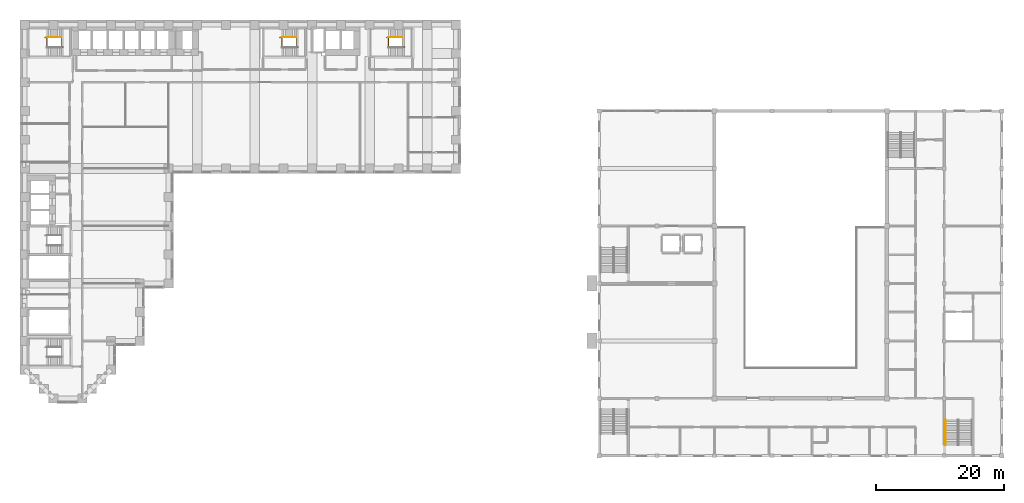
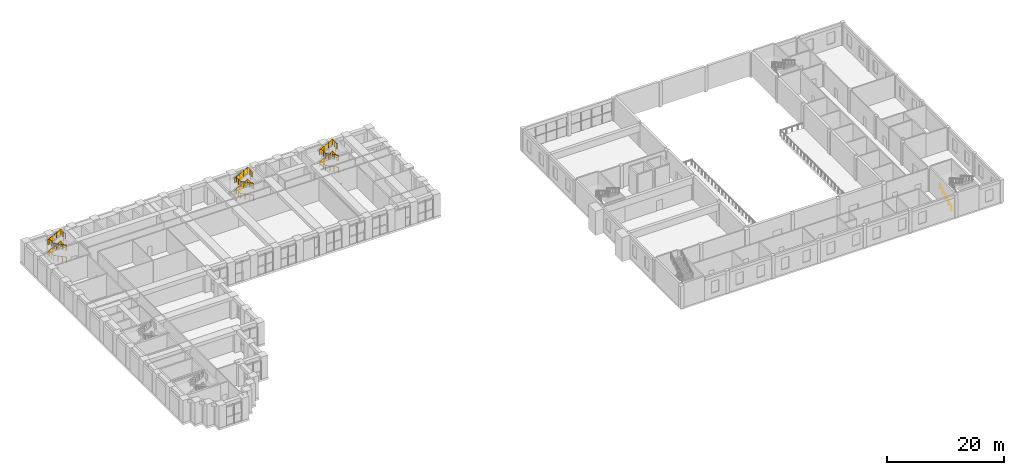
# One storey, part 32 of 34: 10 railings.
"""IFC4 building model written with IfcOpenShell, lengths in metres."""

from ifc_helpers import new_model, si_unit, direction, frame, origin, origin_2d, place, context, subcontext, project, spatial, circle, extrude, material, type_object, element, save


model = new_model("IFC4")

# Units and contexts
model_context = context("Model", 3, precision=1e-05, world=origin(), true_north=direction((0.0, 1.0)))
body_context = subcontext(model_context, "Body", "Model", "MODEL_VIEW")
ifc_project = project(units=[si_unit("LENGTHUNIT", "METRE"), si_unit("AREAUNIT", "SQUARE_METRE"), si_unit("VOLUMEUNIT", "CUBIC_METRE"), si_unit("PLANEANGLEUNIT", "RADIAN"), si_unit("MASSUNIT", "GRAM", prefix="KILO")], contexts=[model_context])

# Site, building, storey
site_placement = place(None, origin())
site = spatial("IfcSite", under=ifc_project, at=site_placement, CompositionType="ELEMENT")
building_placement = place(site_placement, origin())
building = spatial("IfcBuilding", under=site, at=building_placement, Name="Firuza Court", CompositionType="ELEMENT")
storey_placement = place(building_placement, frame((0.0, 0.0, 14.0)))
storey = spatial("IfcBuildingStorey", under=building, at=storey_placement, Name="L02", CompositionType="ELEMENT", Elevation=14.0)

# Railings
ifc_material_1 = material(Name="Steel S355", Category="steel")
railing_type_1 = type_object("IfcRailingType", Name="HALL HANDRAIL 900", PredefinedType="HANDRAIL", material=ifc_material_1)
railing_1_placement = place(storey_placement, frame((144.18994140625, -7.300048828125, 0.166748046875)))
element("IfcRailing", 1, at=railing_1_placement, inside=storey, type_object=railing_type_1, Name="Stair H2 flight 1 handrail L02", PredefinedType="HANDRAIL", context=body_context, shape_type="SweptSolid", body=[
    extrude(circle(Radius=0.02099609375, at=origin_2d()), frame((0.0, 0.0, 0.87890625), z_axis=(0.0, 0.859310244771, 0.511454693235), x_axis=(-1.0, 0.0, 0.0)), (0.0, 0.0, 1.0), 4.56201171875),
    extrude(circle(Radius=0.02001953125, at=origin_2d()), origin(), (0.0, 0.0, 1.0), 0.85791015625),
    extrude(circle(Radius=0.02001953125, at=origin_2d()), frame((0.0, 0.97998046875, 0.583251953125)), (0.0, 0.0, 1.0), 0.85791015625),
    extrude(circle(Radius=0.02001953125, at=origin_2d()), frame((0.0, 1.9599609375, 1.16650390625)), (0.0, 0.0, 1.0), 0.85791015625),
    extrude(circle(Radius=0.02001953125, at=origin_2d()), frame((0.0, 2.940185546875, 1.75)), (0.0, 0.0, 1.0), 0.85791015625),
    extrude(circle(Radius=0.02001953125, at=origin_2d()), frame((0.0, 3.920166015625, 2.333251953125)), (0.0, 0.0, 1.0), 0.85791015625),
])
ifc_material_2 = material(Name="Steel S355", Category="steel")
railing_type_2 = type_object("IfcRailingType", Name="Handrail 900", PredefinedType="HANDRAIL", material=ifc_material_2)
for number, where, name in (
    (2, (40.260009765625, 56.550048828125, 1.388916015625), "Handrail S1 flight 2"),
    (3, (40.260009765625, 56.550048828125, 3.888916015625), "Handrail S1 flight 4"),
    (4, (3.4599609375, 56.550048828125, 1.388916015625), "Handrail S3 flight 2"),
    (5, (3.4599609375, 56.550048828125, 3.888916015625), "Handrail S3 flight 4"),
    (6, (56.9599609375, 56.550048828125, 1.388916015625), "Handrail S4 flight 2"),
    (7, (56.9599609375, 56.550048828125, 3.888916015625), "Handrail S4 flight 4"),
):
    element("IfcRailing", number, at=place(storey_placement, frame(where)), inside=storey, type_object=railing_type_2, Name=name, PredefinedType="HANDRAIL", context=body_context, shape_type="SweptSolid", body=[
        extrude(circle(Radius=0.02490234375, at=origin_2d()), frame((0.0, 0.0, 0.875), z_axis=(0.895848192791, 0.0, 0.444360231651), x_axis=(0.0, 1.0, 0.0)), (0.0, 0.0, 1.0), 2.50048828125),
        extrude(circle(Radius=0.02001953125, at=origin_2d()), origin(), (0.0, 0.0, 1.0), 0.849853515625),
        extrude(circle(Radius=0.02001953125, at=origin_2d()), frame((0.74658203125, 0.0, 0.370361328125)), (0.0, 0.0, 1.0), 0.849853515625),
        extrude(circle(Radius=0.02001953125, at=origin_2d()), frame((1.493408203125, 0.0, 0.74072265625)), (0.0, 0.0, 1.0), 0.849853515625),
        extrude(circle(Radius=0.02001953125, at=origin_2d()), frame((2.239990234375, 0.0, 1.111083984375)), (0.0, 0.0, 1.0), 0.849853515625),
    ])
ifc_material_3 = material(Name="Steel S355", Category="steel")
railing_type_3 = type_object("IfcRailingType", Name="Stair guard 1100", PredefinedType="GUARDRAIL", material=ifc_material_3)
railing_2_placement = place(storey_placement, frame((42.780029296875, 55.010009765625, 0.0)))
element("IfcRailing", 8, at=railing_2_placement, inside=storey, type_object=railing_type_3, Name="Stair well guard S1", PredefinedType="GUARDRAIL", context=body_context, shape_type="SweptSolid", body=[
    extrude(circle(Radius=0.02490234375, at=origin_2d()), frame((0.0, 0.0, 1.0751953125), z_axis=(-0.89584601627, 0.0, 0.44436461958), x_axis=(0.0, -1.0, 0.0)), (0.0, 0.0, 1.0), 2.81298828125),
    extrude(circle(Radius=0.02490234375, at=origin_2d()), frame((-2.52001953125, 0.0, 2.3251953125), z_axis=(0.0, 1.0, 0.0), x_axis=(-1.0, 0.0, 0.0)), (0.0, 0.0, 1.0), 1.47998046875),
    extrude(circle(Radius=0.02490234375, at=origin_2d()), frame((-2.52001953125, 1.47998046875, 2.3251953125), z_axis=(-1.0, 0.0, 0.0), x_axis=(0.0, -1.0, 0.0)), (0.0, 0.0, 1.0), 0.280029296875),
    extrude(circle(Radius=0.02490234375, at=origin_2d()), frame((-2.800048828125, 1.47998046875, 2.3251953125), z_axis=(0.89584601627, 0.0, 0.44436461958), x_axis=(0.0, 1.0, 0.0)), (0.0, 0.0, 1.0), 2.81298828125),
    extrude(circle(Radius=0.02490234375, at=origin_2d()), frame((-0.280029296875, 1.47998046875, 3.5751953125), z_axis=(0.0, -1.0, 0.0), x_axis=(1.0, 0.0, 0.0)), (0.0, 0.0, 1.0), 1.47998046875),
    extrude(circle(Radius=0.02490234375, at=origin_2d()), frame((-0.280029296875, 0.0, 3.5751953125), z_axis=(1.0, 0.0, 0.0), x_axis=(0.0, 1.0, 0.0)), (0.0, 0.0, 1.0), 0.280029296875),
    extrude(circle(Radius=0.02490234375, at=origin_2d()), frame((0.0, 0.0, 3.5751953125), z_axis=(-0.89584601627, 0.0, 0.44436461958), x_axis=(0.0, -1.0, 0.0)), (0.0, 0.0, 1.0), 2.81298828125),
    extrude(circle(Radius=0.02490234375, at=origin_2d()), frame((-2.52001953125, 0.0, 4.8251953125), z_axis=(0.0, 1.0, 0.0), x_axis=(-1.0, 0.0, 0.0)), (0.0, 0.0, 1.0), 1.47998046875),
    extrude(circle(Radius=0.02490234375, at=origin_2d()), frame((-2.52001953125, 1.47998046875, 4.8251953125), z_axis=(-1.0, 0.0, 0.0), x_axis=(0.0, -1.0, 0.0)), (0.0, 0.0, 1.0), 0.280029296875),
    extrude(circle(Radius=0.02490234375, at=origin_2d()), frame((-2.800048828125, 1.47998046875, 4.8251953125), z_axis=(0.89584601627, 0.0, 0.44436461958), x_axis=(0.0, 1.0, 0.0)), (0.0, 0.0, 1.0), 2.81298828125),
    extrude(circle(Radius=0.02490234375, at=origin_2d()), frame((-0.280029296875, 1.47998046875, 6.0751953125), z_axis=(0.0, -1.0, 0.0), x_axis=(1.0, 0.0, 0.0)), (0.0, 0.0, 1.0), 1.47998046875),
    extrude(circle(Radius=0.02490234375, at=origin_2d()), origin(), (0.0, 0.0, 1.0), 1.050048828125),
    extrude(circle(Radius=0.02490234375, at=origin_2d()), frame((-0.840087890625, 0.0, 0.416748046875)), (0.0, 0.0, 1.0), 1.050048828125),
    extrude(circle(Radius=0.02490234375, at=origin_2d()), frame((-1.679931640625, 0.0, 0.833251953125)), (0.0, 0.0, 1.0), 1.050048828125),
    extrude(circle(Radius=0.02490234375, at=origin_2d()), frame((-2.52001953125, 0.0, 1.25)), (0.0, 0.0, 1.0), 1.050048828125),
    extrude(circle(Radius=0.02490234375, at=origin_2d()), frame((-2.52001953125, 0.739990234375, 1.25)), (0.0, 0.0, 1.0), 1.050048828125),
    extrude(circle(Radius=0.02490234375, at=origin_2d()), frame((-2.52001953125, 1.47998046875, 1.25)), (0.0, 0.0, 1.0), 1.050048828125),
    extrude(circle(Radius=0.02490234375, at=origin_2d()), frame((-2.800048828125, 1.47998046875, 1.25)), (0.0, 0.0, 1.0), 1.050048828125),
    extrude(circle(Radius=0.02490234375, at=origin_2d()), frame((-1.9599609375, 1.47998046875, 1.666748046875)), (0.0, 0.0, 1.0), 1.050048828125),
    extrude(circle(Radius=0.02490234375, at=origin_2d()), frame((-1.1201171875, 1.47998046875, 2.083251953125)), (0.0, 0.0, 1.0), 1.050048828125),
    extrude(circle(Radius=0.02490234375, at=origin_2d()), frame((-0.280029296875, 1.47998046875, 2.5)), (0.0, 0.0, 1.0), 1.050048828125),
    extrude(circle(Radius=0.02490234375, at=origin_2d()), frame((-0.280029296875, 0.739990234375, 2.5)), (0.0, 0.0, 1.0), 1.050048828125),
    extrude(circle(Radius=0.02490234375, at=origin_2d()), frame((-0.280029296875, 0.0, 2.5)), (0.0, 0.0, 1.0), 1.050048828125),
    extrude(circle(Radius=0.02490234375, at=origin_2d()), frame((0.0, 0.0, 2.5)), (0.0, 0.0, 1.0), 1.050048828125),
    extrude(circle(Radius=0.02490234375, at=origin_2d()), frame((-0.840087890625, 0.0, 2.916748046875)), (0.0, 0.0, 1.0), 1.050048828125),
    extrude(circle(Radius=0.02490234375, at=origin_2d()), frame((-1.679931640625, 0.0, 3.333251953125)), (0.0, 0.0, 1.0), 1.050048828125),
    extrude(circle(Radius=0.02490234375, at=origin_2d()), frame((-2.52001953125, 0.0, 3.75)), (0.0, 0.0, 1.0), 1.050048828125),
    extrude(circle(Radius=0.02490234375, at=origin_2d()), frame((-2.52001953125, 0.739990234375, 3.75)), (0.0, 0.0, 1.0), 1.050048828125),
    extrude(circle(Radius=0.02490234375, at=origin_2d()), frame((-2.52001953125, 1.47998046875, 3.75)), (0.0, 0.0, 1.0), 1.050048828125),
    extrude(circle(Radius=0.02490234375, at=origin_2d()), frame((-2.800048828125, 1.47998046875, 3.75)), (0.0, 0.0, 1.0), 1.050048828125),
    extrude(circle(Radius=0.02490234375, at=origin_2d()), frame((-1.9599609375, 1.47998046875, 4.166748046875)), (0.0, 0.0, 1.0), 1.050048828125),
    extrude(circle(Radius=0.02490234375, at=origin_2d()), frame((-1.1201171875, 1.47998046875, 4.583251953125)), (0.0, 0.0, 1.0), 1.050048828125),
    extrude(circle(Radius=0.02490234375, at=origin_2d()), frame((-0.280029296875, 1.47998046875, 5.0)), (0.0, 0.0, 1.0), 1.050048828125),
    extrude(circle(Radius=0.02490234375, at=origin_2d()), frame((-0.280029296875, 0.739990234375, 5.0)), (0.0, 0.0, 1.0), 1.050048828125),
    extrude(circle(Radius=0.02490234375, at=origin_2d()), frame((-0.280029296875, 0.0, 5.0)), (0.0, 0.0, 1.0), 1.050048828125),
])
railing_3_placement = place(storey_placement, frame((5.97998046875, 55.010009765625, 0.0)))
element("IfcRailing", 9, at=railing_3_placement, inside=storey, type_object=railing_type_3, Name="Stair well guard S3", PredefinedType="GUARDRAIL", context=body_context, shape_type="SweptSolid", body=[
    extrude(circle(Radius=0.02490234375, at=origin_2d()), frame((0.0, 0.0, 1.0751953125), z_axis=(-0.89584601627, 0.0, 0.44436461958), x_axis=(0.0, -1.0, 0.0)), (0.0, 0.0, 1.0), 2.81298828125),
    extrude(circle(Radius=0.02490234375, at=origin_2d()), frame((-2.52001953125, 0.0, 2.3251953125), z_axis=(0.0, 1.0, 0.0), x_axis=(-1.0, 0.0, 0.0)), (0.0, 0.0, 1.0), 1.47998046875),
    extrude(circle(Radius=0.02490234375, at=origin_2d()), frame((-2.52001953125, 1.47998046875, 2.3251953125), z_axis=(-1.0, 0.0, 0.0), x_axis=(0.0, -1.0, 0.0)), (0.0, 0.0, 1.0), 0.280029296875),
    extrude(circle(Radius=0.02490234375, at=origin_2d()), frame((-2.800048828125, 1.47998046875, 2.3251953125), z_axis=(0.89584601627, 0.0, 0.44436461958), x_axis=(0.0, 1.0, 0.0)), (0.0, 0.0, 1.0), 2.81298828125),
    extrude(circle(Radius=0.02490234375, at=origin_2d()), frame((-0.280029296875, 1.47998046875, 3.5751953125), z_axis=(0.0, -1.0, 0.0), x_axis=(1.0, 0.0, 0.0)), (0.0, 0.0, 1.0), 1.47998046875),
    extrude(circle(Radius=0.02490234375, at=origin_2d()), frame((-0.280029296875, 0.0, 3.5751953125), z_axis=(1.0, 0.0, 0.0), x_axis=(0.0, 1.0, 0.0)), (0.0, 0.0, 1.0), 0.280029296875),
    extrude(circle(Radius=0.02490234375, at=origin_2d()), frame((0.0, 0.0, 3.5751953125), z_axis=(-0.89584601627, 0.0, 0.44436461958), x_axis=(0.0, -1.0, 0.0)), (0.0, 0.0, 1.0), 2.81298828125),
    extrude(circle(Radius=0.02490234375, at=origin_2d()), frame((-2.52001953125, 0.0, 4.8251953125), z_axis=(0.0, 1.0, 0.0), x_axis=(-1.0, 0.0, 0.0)), (0.0, 0.0, 1.0), 1.47998046875),
    extrude(circle(Radius=0.02490234375, at=origin_2d()), frame((-2.52001953125, 1.47998046875, 4.8251953125), z_axis=(-1.0, 0.0, 0.0), x_axis=(0.0, -1.0, 0.0)), (0.0, 0.0, 1.0), 0.280029296875),
    extrude(circle(Radius=0.02490234375, at=origin_2d()), frame((-2.800048828125, 1.47998046875, 4.8251953125), z_axis=(0.89584601627, 0.0, 0.44436461958), x_axis=(0.0, 1.0, 0.0)), (0.0, 0.0, 1.0), 2.81298828125),
    extrude(circle(Radius=0.02490234375, at=origin_2d()), frame((-0.280029296875, 1.47998046875, 6.0751953125), z_axis=(0.0, -1.0, 0.0), x_axis=(1.0, 0.0, 0.0)), (0.0, 0.0, 1.0), 1.47998046875),
    extrude(circle(Radius=0.02490234375, at=origin_2d()), origin(), (0.0, 0.0, 1.0), 1.050048828125),
    extrude(circle(Radius=0.02490234375, at=origin_2d()), frame((-0.840087890625, 0.0, 0.416748046875)), (0.0, 0.0, 1.0), 1.050048828125),
    extrude(circle(Radius=0.02490234375, at=origin_2d()), frame((-1.679931640625, 0.0, 0.833251953125)), (0.0, 0.0, 1.0), 1.050048828125),
    extrude(circle(Radius=0.02490234375, at=origin_2d()), frame((-2.52001953125, 0.0, 1.25)), (0.0, 0.0, 1.0), 1.050048828125),
    extrude(circle(Radius=0.02490234375, at=origin_2d()), frame((-2.52001953125, 0.739990234375, 1.25)), (0.0, 0.0, 1.0), 1.050048828125),
    extrude(circle(Radius=0.02490234375, at=origin_2d()), frame((-2.52001953125, 1.47998046875, 1.25)), (0.0, 0.0, 1.0), 1.050048828125),
    extrude(circle(Radius=0.02490234375, at=origin_2d()), frame((-2.800048828125, 1.47998046875, 1.25)), (0.0, 0.0, 1.0), 1.050048828125),
    extrude(circle(Radius=0.02490234375, at=origin_2d()), frame((-1.9599609375, 1.47998046875, 1.666748046875)), (0.0, 0.0, 1.0), 1.050048828125),
    extrude(circle(Radius=0.02490234375, at=origin_2d()), frame((-1.1201171875, 1.47998046875, 2.083251953125)), (0.0, 0.0, 1.0), 1.050048828125),
    extrude(circle(Radius=0.02490234375, at=origin_2d()), frame((-0.280029296875, 1.47998046875, 2.5)), (0.0, 0.0, 1.0), 1.050048828125),
    extrude(circle(Radius=0.02490234375, at=origin_2d()), frame((-0.280029296875, 0.739990234375, 2.5)), (0.0, 0.0, 1.0), 1.050048828125),
    extrude(circle(Radius=0.02490234375, at=origin_2d()), frame((-0.280029296875, 0.0, 2.5)), (0.0, 0.0, 1.0), 1.050048828125),
    extrude(circle(Radius=0.02490234375, at=origin_2d()), frame((0.0, 0.0, 2.5)), (0.0, 0.0, 1.0), 1.050048828125),
    extrude(circle(Radius=0.02490234375, at=origin_2d()), frame((-0.840087890625, 0.0, 2.916748046875)), (0.0, 0.0, 1.0), 1.050048828125),
    extrude(circle(Radius=0.02490234375, at=origin_2d()), frame((-1.679931640625, 0.0, 3.333251953125)), (0.0, 0.0, 1.0), 1.050048828125),
    extrude(circle(Radius=0.02490234375, at=origin_2d()), frame((-2.52001953125, 0.0, 3.75)), (0.0, 0.0, 1.0), 1.050048828125),
    extrude(circle(Radius=0.02490234375, at=origin_2d()), frame((-2.52001953125, 0.739990234375, 3.75)), (0.0, 0.0, 1.0), 1.050048828125),
    extrude(circle(Radius=0.02490234375, at=origin_2d()), frame((-2.52001953125, 1.47998046875, 3.75)), (0.0, 0.0, 1.0), 1.050048828125),
    extrude(circle(Radius=0.02490234375, at=origin_2d()), frame((-2.800048828125, 1.47998046875, 3.75)), (0.0, 0.0, 1.0), 1.050048828125),
    extrude(circle(Radius=0.02490234375, at=origin_2d()), frame((-1.9599609375, 1.47998046875, 4.166748046875)), (0.0, 0.0, 1.0), 1.050048828125),
    extrude(circle(Radius=0.02490234375, at=origin_2d()), frame((-1.1201171875, 1.47998046875, 4.583251953125)), (0.0, 0.0, 1.0), 1.050048828125),
    extrude(circle(Radius=0.02490234375, at=origin_2d()), frame((-0.280029296875, 1.47998046875, 5.0)), (0.0, 0.0, 1.0), 1.050048828125),
    extrude(circle(Radius=0.02490234375, at=origin_2d()), frame((-0.280029296875, 0.739990234375, 5.0)), (0.0, 0.0, 1.0), 1.050048828125),
    extrude(circle(Radius=0.02490234375, at=origin_2d()), frame((-0.280029296875, 0.0, 5.0)), (0.0, 0.0, 1.0), 1.050048828125),
])
railing_4_placement = place(storey_placement, frame((59.47998046875, 55.010009765625, 0.0)))
element("IfcRailing", 10, at=railing_4_placement, inside=storey, type_object=railing_type_3, Name="Stair well guard S4", PredefinedType="GUARDRAIL", context=body_context, shape_type="SweptSolid", body=[
    extrude(circle(Radius=0.02490234375, at=origin_2d()), frame((0.0, 0.0, 1.0751953125), z_axis=(-0.89584601627, 0.0, 0.44436461958), x_axis=(0.0, -1.0, 0.0)), (0.0, 0.0, 1.0), 2.81298828125),
    extrude(circle(Radius=0.02490234375, at=origin_2d()), frame((-2.52001953125, 0.0, 2.3251953125), z_axis=(0.0, 1.0, 0.0), x_axis=(-1.0, 0.0, 0.0)), (0.0, 0.0, 1.0), 1.47998046875),
    extrude(circle(Radius=0.02490234375, at=origin_2d()), frame((-2.52001953125, 1.47998046875, 2.3251953125), z_axis=(-1.0, 0.0, 0.0), x_axis=(0.0, -1.0, 0.0)), (0.0, 0.0, 1.0), 0.280029296875),
    extrude(circle(Radius=0.02490234375, at=origin_2d()), frame((-2.800048828125, 1.47998046875, 2.3251953125), z_axis=(0.89584601627, 0.0, 0.44436461958), x_axis=(0.0, 1.0, 0.0)), (0.0, 0.0, 1.0), 2.81298828125),
    extrude(circle(Radius=0.02490234375, at=origin_2d()), frame((-0.280029296875, 1.47998046875, 3.5751953125), z_axis=(0.0, -1.0, 0.0), x_axis=(1.0, 0.0, 0.0)), (0.0, 0.0, 1.0), 1.47998046875),
    extrude(circle(Radius=0.02490234375, at=origin_2d()), frame((-0.280029296875, 0.0, 3.5751953125), z_axis=(1.0, 0.0, 0.0), x_axis=(0.0, 1.0, 0.0)), (0.0, 0.0, 1.0), 0.280029296875),
    extrude(circle(Radius=0.02490234375, at=origin_2d()), frame((0.0, 0.0, 3.5751953125), z_axis=(-0.89584601627, 0.0, 0.44436461958), x_axis=(0.0, -1.0, 0.0)), (0.0, 0.0, 1.0), 2.81298828125),
    extrude(circle(Radius=0.02490234375, at=origin_2d()), frame((-2.52001953125, 0.0, 4.8251953125), z_axis=(0.0, 1.0, 0.0), x_axis=(-1.0, 0.0, 0.0)), (0.0, 0.0, 1.0), 1.47998046875),
    extrude(circle(Radius=0.02490234375, at=origin_2d()), frame((-2.52001953125, 1.47998046875, 4.8251953125), z_axis=(-1.0, 0.0, 0.0), x_axis=(0.0, -1.0, 0.0)), (0.0, 0.0, 1.0), 0.280029296875),
    extrude(circle(Radius=0.02490234375, at=origin_2d()), frame((-2.800048828125, 1.47998046875, 4.8251953125), z_axis=(0.89584601627, 0.0, 0.44436461958), x_axis=(0.0, 1.0, 0.0)), (0.0, 0.0, 1.0), 2.81298828125),
    extrude(circle(Radius=0.02490234375, at=origin_2d()), frame((-0.280029296875, 1.47998046875, 6.0751953125), z_axis=(0.0, -1.0, 0.0), x_axis=(1.0, 0.0, 0.0)), (0.0, 0.0, 1.0), 1.47998046875),
    extrude(circle(Radius=0.02490234375, at=origin_2d()), origin(), (0.0, 0.0, 1.0), 1.050048828125),
    extrude(circle(Radius=0.02490234375, at=origin_2d()), frame((-0.840087890625, 0.0, 0.416748046875)), (0.0, 0.0, 1.0), 1.050048828125),
    extrude(circle(Radius=0.02490234375, at=origin_2d()), frame((-1.679931640625, 0.0, 0.833251953125)), (0.0, 0.0, 1.0), 1.050048828125),
    extrude(circle(Radius=0.02490234375, at=origin_2d()), frame((-2.52001953125, 0.0, 1.25)), (0.0, 0.0, 1.0), 1.050048828125),
    extrude(circle(Radius=0.02490234375, at=origin_2d()), frame((-2.52001953125, 0.739990234375, 1.25)), (0.0, 0.0, 1.0), 1.050048828125),
    extrude(circle(Radius=0.02490234375, at=origin_2d()), frame((-2.52001953125, 1.47998046875, 1.25)), (0.0, 0.0, 1.0), 1.050048828125),
    extrude(circle(Radius=0.02490234375, at=origin_2d()), frame((-2.800048828125, 1.47998046875, 1.25)), (0.0, 0.0, 1.0), 1.050048828125),
    extrude(circle(Radius=0.02490234375, at=origin_2d()), frame((-1.9599609375, 1.47998046875, 1.666748046875)), (0.0, 0.0, 1.0), 1.050048828125),
    extrude(circle(Radius=0.02490234375, at=origin_2d()), frame((-1.1201171875, 1.47998046875, 2.083251953125)), (0.0, 0.0, 1.0), 1.050048828125),
    extrude(circle(Radius=0.02490234375, at=origin_2d()), frame((-0.280029296875, 1.47998046875, 2.5)), (0.0, 0.0, 1.0), 1.050048828125),
    extrude(circle(Radius=0.02490234375, at=origin_2d()), frame((-0.280029296875, 0.739990234375, 2.5)), (0.0, 0.0, 1.0), 1.050048828125),
    extrude(circle(Radius=0.02490234375, at=origin_2d()), frame((-0.280029296875, 0.0, 2.5)), (0.0, 0.0, 1.0), 1.050048828125),
    extrude(circle(Radius=0.02490234375, at=origin_2d()), frame((0.0, 0.0, 2.5)), (0.0, 0.0, 1.0), 1.050048828125),
    extrude(circle(Radius=0.02490234375, at=origin_2d()), frame((-0.840087890625, 0.0, 2.916748046875)), (0.0, 0.0, 1.0), 1.050048828125),
    extrude(circle(Radius=0.02490234375, at=origin_2d()), frame((-1.679931640625, 0.0, 3.333251953125)), (0.0, 0.0, 1.0), 1.050048828125),
    extrude(circle(Radius=0.02490234375, at=origin_2d()), frame((-2.52001953125, 0.0, 3.75)), (0.0, 0.0, 1.0), 1.050048828125),
    extrude(circle(Radius=0.02490234375, at=origin_2d()), frame((-2.52001953125, 0.739990234375, 3.75)), (0.0, 0.0, 1.0), 1.050048828125),
    extrude(circle(Radius=0.02490234375, at=origin_2d()), frame((-2.52001953125, 1.47998046875, 3.75)), (0.0, 0.0, 1.0), 1.050048828125),
    extrude(circle(Radius=0.02490234375, at=origin_2d()), frame((-2.800048828125, 1.47998046875, 3.75)), (0.0, 0.0, 1.0), 1.050048828125),
    extrude(circle(Radius=0.02490234375, at=origin_2d()), frame((-1.9599609375, 1.47998046875, 4.166748046875)), (0.0, 0.0, 1.0), 1.050048828125),
    extrude(circle(Radius=0.02490234375, at=origin_2d()), frame((-1.1201171875, 1.47998046875, 4.583251953125)), (0.0, 0.0, 1.0), 1.050048828125),
    extrude(circle(Radius=0.02490234375, at=origin_2d()), frame((-0.280029296875, 1.47998046875, 5.0)), (0.0, 0.0, 1.0), 1.050048828125),
    extrude(circle(Radius=0.02490234375, at=origin_2d()), frame((-0.280029296875, 0.739990234375, 5.0)), (0.0, 0.0, 1.0), 1.050048828125),
    extrude(circle(Radius=0.02490234375, at=origin_2d()), frame((-0.280029296875, 0.0, 5.0)), (0.0, 0.0, 1.0), 1.050048828125),
])

save(model, "model.ifc")
